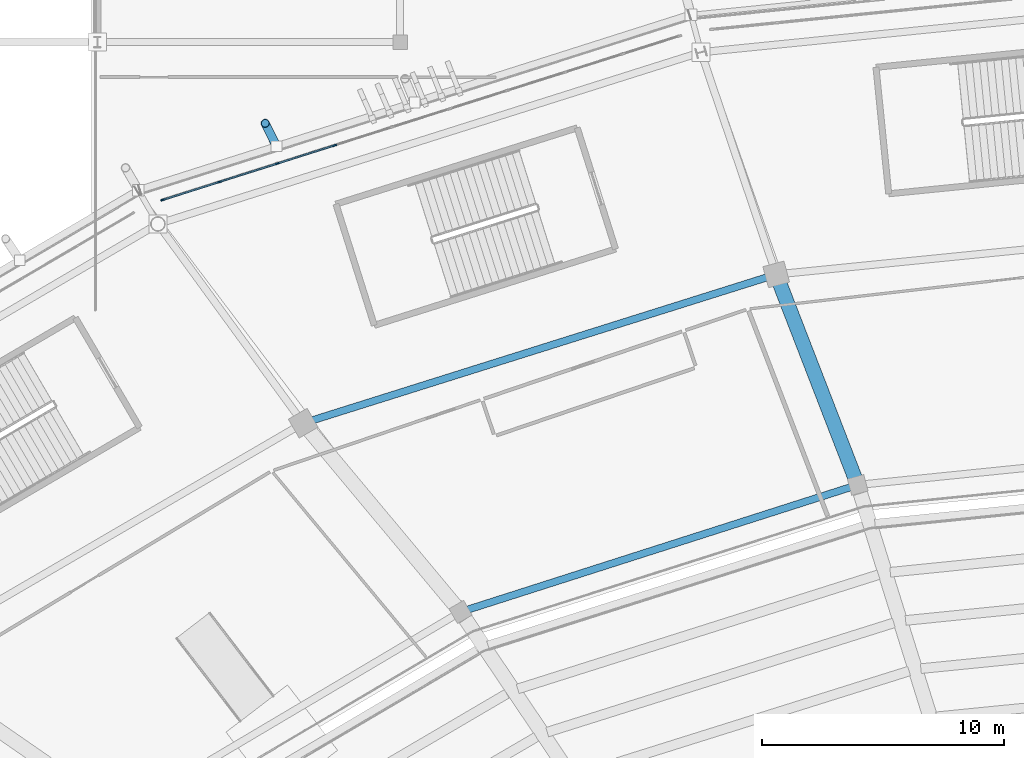
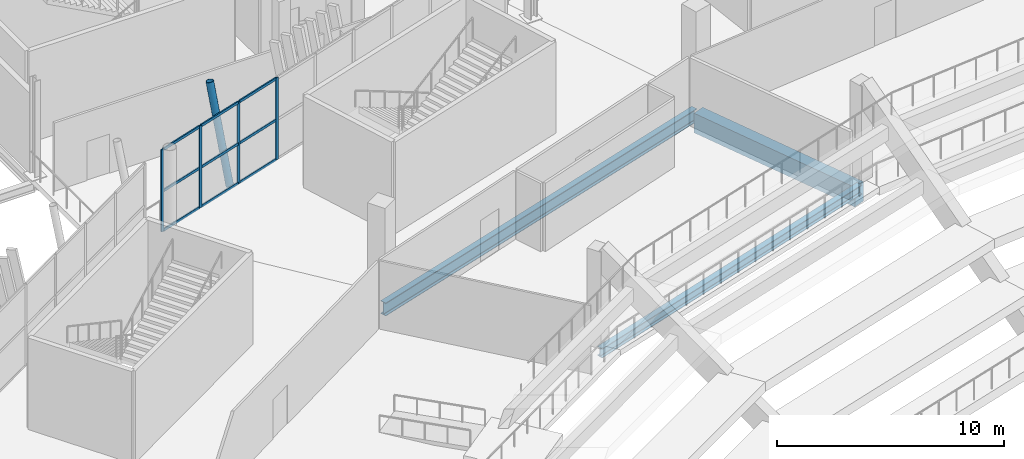
# One storey, part 72 of 178: 14 members, 3 beams, 1 element without a shape of its own.
"""IFC4 building model written with IfcOpenShell, lengths in metres."""

import ifcopenshell
import ifcopenshell.guid

model = None  # the IFC model being written
_history = None  # IfcOwnerHistory: only IFC2X3 demands one
_inside = {}  # id of a spatial element -> (the spatial element, [elements in it])
_under = {}  # id of a project, library or spatial element -> (it, [spatial elements below it])
_declared = {}  # id of a project -> (the project, [libraries it declares])
_typed = {}  # id of a type object -> (the type object, [elements of that type])
_made_of = {}  # id of a material, layer set ... -> (it, [elements and type objects made of it])


def new_model(schema):
    """Start an empty IFC model of exactly this schema.

    Asked for "IFC4X3", IfcOpenShell would pick the latest addendum, in which some entities
    have other attributes; the version numbers below select the first issue.
    IFC2X3 requires an IfcOwnerHistory on every rooted entity: one is made here for all.
    """
    global model, _history
    if schema == "IFC4X3":
        model = ifcopenshell.file(schema_version=(4, 3, 0, 0))
    else:
        model = ifcopenshell.file(schema=schema)
    _inside.clear()
    _under.clear()
    _declared.clear()
    _typed.clear()
    _made_of.clear()
    _history = None
    if model.schema == "IFC2X3":
        org = make("IfcOrganization", Name="unknown")
        user = make(
            "IfcPersonAndOrganization",
            ThePerson=make("IfcPerson", FamilyName="unknown"),
            TheOrganization=org,
        )
        app = make(
            "IfcApplication",
            ApplicationDeveloper=org,
            Version="unknown",
            ApplicationFullName="unknown",
            ApplicationIdentifier="unknown",
        )
        _history = make(
            "IfcOwnerHistory",
            OwningUser=user,
            OwningApplication=app,
            ChangeAction="ADDED",
            CreationDate=0,
        )
    return model


def make(cls, **values):
    """One entity of the class cls with the attributes given. An attribute that is None is left unset."""
    return model.create_entity(
        cls, **{name: value for name, value in values.items() if value is not None}
    )


def rooted(cls, **values):
    """An entity with a GlobalId (a new one), such as an element, a storey or a relation."""
    return make(cls, GlobalId=ifcopenshell.guid.new(), OwnerHistory=_history, **values)


def si_unit(unit_type, name, prefix=None):
    """IfcSIUnit, for example si_unit("LENGTHUNIT", "METRE", prefix="MILLI")."""
    return make("IfcSIUnit", UnitType=unit_type, Prefix=prefix, Name=name)


def assignment(units):
    """IfcUnitAssignment: the units of a project."""
    return None if units is None else make("IfcUnitAssignment", Units=units)


def point(xyz):
    """IfcCartesianPoint."""
    return None if xyz is None else make("IfcCartesianPoint", Coordinates=xyz)


def direction(xyz):
    """IfcDirection."""
    return None if xyz is None else make("IfcDirection", DirectionRatios=xyz)


def frame(location, z_axis=None, x_axis=None):
    """IfcAxis2Placement3D, a coordinate frame: its origin and axes. An axis left out is left unset."""
    return make(
        "IfcAxis2Placement3D",
        Location=point(location),
        Axis=direction(z_axis),
        RefDirection=direction(x_axis),
    )


def frame_2d(location, x_axis=None):
    """IfcAxis2Placement2D, a coordinate frame in the plane: its origin and x axis."""
    return make(
        "IfcAxis2Placement2D", Location=point(location), RefDirection=direction(x_axis)
    )


def origin():
    """The frame at (0, 0, 0) with its axes left unset."""
    return frame((0.0, 0.0, 0.0))


def origin_2d():
    """The frame at (0, 0) in the plane with its x axis left unset."""
    return frame_2d((0.0, 0.0))


def place(relative_to, where):
    """IfcLocalPlacement: puts the frame where relative to a parent placement (None: the world)."""
    return make(
        "IfcLocalPlacement", PlacementRelTo=relative_to, RelativePlacement=where
    )


def context(
    kind, dimensions, precision=None, world=None, true_north=None, identifier=None
):
    """IfcGeometricRepresentationContext, for example the 3D "Model" context."""
    return make(
        "IfcGeometricRepresentationContext",
        ContextIdentifier=identifier,
        ContextType=kind,
        CoordinateSpaceDimension=dimensions,
        Precision=precision,
        WorldCoordinateSystem=world,
        TrueNorth=true_north,
    )


def subcontext(parent, identifier, kind, view, scale=None):
    """IfcGeometricRepresentationSubContext, for example "Body" below "Model"."""
    return make(
        "IfcGeometricRepresentationSubContext",
        ContextIdentifier=identifier,
        ContextType=kind,
        ParentContext=parent,
        TargetScale=scale,
        TargetView=view,
    )


def project(units=None, contexts=None):
    """IfcProject with its units and contexts."""
    return rooted(
        "IfcProject",
        Name="project",
        RepresentationContexts=contexts,
        UnitsInContext=assignment(units),
    )


def spatial(cls, under=None, at=None, **own):
    """A site, building, storey or space (cls), placed at a placement, below another one or the project."""
    s = rooted(cls, ObjectPlacement=at, **own)
    if under is not None:
        _under.setdefault(under.id(), (under, []))[1].append(s)
    return s


def profile(cls, at=None, kind="AREA", **sizes):
    """A parametric profile (cls). Its sizes go by their IFC names, for example OverallWidth=200.0."""
    return make(cls, ProfileType=kind, Position=at, **sizes)


def rectangle(**sizes):
    """IfcRectangleProfileDef."""
    return profile("IfcRectangleProfileDef", **sizes)


def hollow_circle(**sizes):
    """IfcCircleHollowProfileDef."""
    return profile("IfcCircleHollowProfileDef", **sizes)


def i_section(**sizes):
    """IfcIShapeProfileDef."""
    return profile("IfcIShapeProfileDef", **sizes)


def extrude(swept, where, along, depth):
    """IfcExtrudedAreaSolid: the profile swept, set in the frame where, extruded along a direction by depth."""
    return make(
        "IfcExtrudedAreaSolid",
        SweptArea=swept,
        Position=where,
        ExtrudedDirection=direction(along),
        Depth=depth,
    )


def shape(context_of_items, identifier, shape_type, items):
    """IfcShapeRepresentation: the items that make up one representation, for example the "Body"."""
    return make(
        "IfcShapeRepresentation",
        ContextOfItems=context_of_items,
        RepresentationIdentifier=identifier,
        RepresentationType=shape_type,
        Items=items,
    )


def material(Name=None, Category=None):
    """IfcMaterial."""
    return make("IfcMaterial", Name=Name, Category=Category)


def material_profile(
    of_material, cross_section, Name=None, Category=None, Priority=None
):
    """IfcMaterialProfile: a cross section and its material."""
    return make(
        "IfcMaterialProfile",
        Name=Name,
        Material=of_material,
        Profile=cross_section,
        Priority=Priority,
        Category=Category,
    )


def profile_set(profiles, Name=None, composite=None):
    """IfcMaterialProfileSet."""
    return make(
        "IfcMaterialProfileSet",
        Name=Name,
        MaterialProfiles=profiles,
        CompositeProfile=composite,
    )


def made_of(thing, what):
    """Note that an element or type object is made of a material, layer set ...; save() writes the relation."""
    if what is not None:
        _made_of.setdefault(what.id(), (what, []))[1].append(thing)
    return thing


def type_object(cls, material=None, **own):
    """A type object (cls), such as IfcWallType, which elements share."""
    return made_of(rooted(cls, **own), material)


def element(
    cls,
    number,
    at=None,
    inside=None,
    cuts=None,
    type_object=None,
    material=None,
    context=None,
    identifier="Body",
    shape_type=None,
    held_by="IfcProductDefinitionShape",
    body=None,
    shapes=None,
    **own,
):
    """One element of the class cls, such as IfcWall. Its Tag is "e" and its number.

    at: its placement. inside: the storey or other place that contains it. cuts: it is an
    opening in that element (IfcRelVoidsElement). A single representation is given by context,
    identifier, shape_type and body (its items); several are given by shapes. held_by: the class
    of the entity that holds the representations. save() writes the other relations.
    """
    e = rooted(cls, Tag="e%d" % number, ObjectPlacement=at, **own)
    if body is not None:
        shapes = [shape(context, identifier, shape_type, body)]
    if shapes is not None:
        e.Representation = make(held_by, Representations=shapes)
    if inside is not None:
        _inside.setdefault(inside.id(), (inside, []))[1].append(e)
    if cuts is not None:
        rooted(
            "IfcRelVoidsElement", RelatingBuildingElement=cuts, RelatedOpeningElement=e
        )
    if type_object is not None:
        _typed.setdefault(type_object.id(), (type_object, []))[1].append(e)
    return made_of(e, material)


def aggregate(whole, parts):
    """IfcRelAggregates: a whole, such as a stair, and the parts it consists of."""
    return rooted("IfcRelAggregates", RelatingObject=whole, RelatedObjects=parts)


def save(model, path):
    """Write the relations noted so far, then the file.

    IfcRelAggregates (storeys below a building ...), IfcRelContainedInSpatialStructure (elements
    in a storey), IfcRelDefinesByType, IfcRelAssociatesMaterial and IfcRelDeclares: one each for
    every whole, place, type object, material and project.
    """
    for whole, parts in _under.values():
        aggregate(whole, parts)
    for where, things in _inside.values():
        rooted(
            "IfcRelContainedInSpatialStructure",
            RelatedElements=things,
            RelatingStructure=where,
        )
    for kind, things in _typed.values():
        rooted("IfcRelDefinesByType", RelatedObjects=things, RelatingType=kind)
    for what, things in _made_of.values():
        rooted("IfcRelAssociatesMaterial", RelatedObjects=things, RelatingMaterial=what)
    for by, libraries in _declared.values():
        rooted("IfcRelDeclares", RelatingContext=by, RelatedDefinitions=libraries)
    model.write(path)


model = new_model("IFC4")

# Units and contexts
model_context = context("Model", 3, precision=1e-05, world=origin(), true_north=direction((0.0, 1.0)))
body_context = subcontext(model_context, "Body", "Model", "MODEL_VIEW")
ifc_project = project(units=[si_unit("LENGTHUNIT", "METRE"), si_unit("AREAUNIT", "SQUARE_METRE"), si_unit("VOLUMEUNIT", "CUBIC_METRE"), si_unit("PLANEANGLEUNIT", "RADIAN"), si_unit("MASSUNIT", "GRAM", prefix="KILO")], contexts=[model_context])

# Site, building, storey
site_placement = place(None, origin())
site = spatial("IfcSite", under=ifc_project, at=site_placement, CompositionType="ELEMENT")
building_placement = place(site_placement, origin())
building = spatial("IfcBuilding", under=site, at=building_placement, Name="Zlatoyarsky Gate Stadium", CompositionType="ELEMENT")
storey_placement = place(building_placement, frame((0.0, 0.0, 5.39990234375)))
storey = spatial("IfcBuildingStorey", under=building, at=storey_placement, Name="L01", CompositionType="ELEMENT", Elevation=5.39990234375)

# Curtain wall, members
ifc_material_1 = material(Name="Thermally broken anodised aluminium curtain wall", Category="aluminium")
curtain_wall_type = type_object("IfcCurtainWallType", Name="UNITISED HOSPITALITY GLAZING L01", PredefinedType="USERDEFINED", material=ifc_material_1)
curtain_wall_placement = place(storey_placement, origin())
curtain_wall = element("IfcCurtainWall", 1, at=curtain_wall_placement, inside=storey, type_object=curtain_wall_type, Name="Curtain wall CW-L01-07", ObjectType="UNITISED GLAZING", PredefinedType="USERDEFINED")
ifc_material_2 = material(Name="Anodised aluminium 6063-T6", Category="aluminium")
ifc_material_profile_1 = material_profile(ifc_material_2, rectangle(XDim=0.06494140625, YDim=0.159912109375, at=origin_2d()), Name="ALU 65X160")
ifc_profile_set_1 = profile_set([ifc_material_profile_1], Name="Anodised aluminium 6063-T6")
member_type_1 = type_object("IfcMemberType", Name="ALUMINIUM MULLION 65X160", PredefinedType="MULLION", material=ifc_profile_set_1)
member_1_placement = place(storey_placement, frame((71.802001953125, 144.734619140625, 0.0), z_axis=(0.0, 0.0, 1.0), x_axis=(0.302335228022, -0.953201662764, 0.0)))
member_1 = element("IfcMember", 2, at=member_1_placement, type_object=member_type_1, Name="CW-UG1 mullion 7", PredefinedType="MULLION", context=body_context, shape_type="SweptSolid", body=[
    extrude(rectangle(XDim=0.06494140625, YDim=0.159912109375, at=origin_2d()), origin(), (0.0, 0.0, 1.0), 4.400146484375),
])
member_2_placement = place(storey_placement, frame((69.423095703125, 143.980224609375, 0.0), z_axis=(0.0, 0.0, 1.0), x_axis=(0.302335228022, -0.953201662764, 0.0)))
member_2 = element("IfcMember", 3, at=member_2_placement, type_object=member_type_1, Name="CW-UG1 mullion 8", PredefinedType="MULLION", context=body_context, shape_type="SweptSolid", body=[
    extrude(rectangle(XDim=0.06494140625, YDim=0.159912109375, at=origin_2d()), origin(), (0.0, 0.0, 1.0), 4.400146484375),
])
member_3_placement = place(storey_placement, frame((67.044189453125, 143.2255859375, 0.0), z_axis=(0.0, 0.0, 1.0), x_axis=(0.302335228022, -0.953201662764, 0.0)))
member_3 = element("IfcMember", 4, at=member_3_placement, type_object=member_type_1, Name="CW-UG1 mullion 9", PredefinedType="MULLION", context=body_context, shape_type="SweptSolid", body=[
    extrude(rectangle(XDim=0.06494140625, YDim=0.159912109375, at=origin_2d()), origin(), (0.0, 0.0, 1.0), 4.400146484375),
])
member_4_placement = place(storey_placement, frame((64.6962890625, 142.48095703125, 0.0), z_axis=(0.0, 0.0, 1.0), x_axis=(0.302335228022, -0.953201662764, 0.0)))
member_4 = element("IfcMember", 5, at=member_4_placement, type_object=member_type_1, Name="CW-UG1 mullion 10", PredefinedType="MULLION", context=body_context, shape_type="SweptSolid", body=[
    extrude(rectangle(XDim=0.06494140625, YDim=0.159912109375, at=origin_2d()), origin(), (0.0, 0.0, 1.0), 4.400146484375),
])
ifc_material_profile_2 = material_profile(ifc_material_2, rectangle(XDim=0.06494140625, YDim=0.139892578125, at=origin_2d()), Name="ALU 65X140")
ifc_profile_set_2 = profile_set([ifc_material_profile_2], Name="Anodised aluminium 6063-T6")
member_type_2 = type_object("IfcMemberType", Name="ALUMINIUM TRANSOM 65X140", PredefinedType="USERDEFINED", material=ifc_profile_set_2)
member_5_placement = place(storey_placement, frame((71.77099609375, 144.724853515625, 0.03271484375), z_axis=(-0.953202400963, -0.302332900622, 0.0), x_axis=(0.302332900622, -0.953202400963, 0.0)))
member_5 = element("IfcMember", 6, at=member_5_placement, type_object=member_type_2, Name="CW-UG1 transom 7.1", ObjectType="TRANSOM", PredefinedType="USERDEFINED", context=body_context, shape_type="SweptSolid", body=[
    extrude(rectangle(XDim=0.06494140625, YDim=0.139892578125, at=origin_2d()), origin(), (0.0, 0.0, 1.0), 2.4306640625),
])
member_6_placement = place(storey_placement, frame((71.77099609375, 144.724853515625, 2.150146484375), z_axis=(-0.953202400963, -0.302332900622, 0.0), x_axis=(0.302332900622, -0.953202400963, 0.0)))
member_6 = element("IfcMember", 7, at=member_6_placement, type_object=member_type_2, Name="CW-UG1 transom 7.2", ObjectType="TRANSOM", PredefinedType="USERDEFINED", context=body_context, shape_type="SweptSolid", body=[
    extrude(rectangle(XDim=0.06494140625, YDim=0.139892578125, at=origin_2d()), origin(), (0.0, 0.0, 1.0), 2.4306640625),
])
member_7_placement = place(storey_placement, frame((71.77099609375, 144.724853515625, 4.36767578125), z_axis=(-0.953202400963, -0.302332900622, 0.0), x_axis=(0.302332900622, -0.953202400963, 0.0)))
member_7 = element("IfcMember", 8, at=member_7_placement, type_object=member_type_2, Name="CW-UG1 transom 7.3", ObjectType="TRANSOM", PredefinedType="USERDEFINED", context=body_context, shape_type="SweptSolid", body=[
    extrude(rectangle(XDim=0.06494140625, YDim=0.139892578125, at=origin_2d()), origin(), (0.0, 0.0, 1.0), 2.4306640625),
])
member_8_placement = place(storey_placement, frame((69.39208984375, 143.97021484375, 0.03271484375), z_axis=(-0.953202400963, -0.302332900622, 0.0), x_axis=(0.302332900622, -0.953202400963, 0.0)))
member_8 = element("IfcMember", 9, at=member_8_placement, type_object=member_type_2, Name="CW-UG1 transom 8.1", ObjectType="TRANSOM", PredefinedType="USERDEFINED", context=body_context, shape_type="SweptSolid", body=[
    extrude(rectangle(XDim=0.06494140625, YDim=0.139892578125, at=origin_2d()), origin(), (0.0, 0.0, 1.0), 2.4306640625),
])
member_9_placement = place(storey_placement, frame((69.39208984375, 143.97021484375, 2.150146484375), z_axis=(-0.953202400963, -0.302332900622, 0.0), x_axis=(0.302332900622, -0.953202400963, 0.0)))
member_9 = element("IfcMember", 10, at=member_9_placement, type_object=member_type_2, Name="CW-UG1 transom 8.2", ObjectType="TRANSOM", PredefinedType="USERDEFINED", context=body_context, shape_type="SweptSolid", body=[
    extrude(rectangle(XDim=0.06494140625, YDim=0.139892578125, at=origin_2d()), origin(), (0.0, 0.0, 1.0), 2.4306640625),
])
member_10_placement = place(storey_placement, frame((69.39208984375, 143.97021484375, 4.36767578125), z_axis=(-0.953202400963, -0.302332900622, 0.0), x_axis=(0.302332900622, -0.953202400963, 0.0)))
member_10 = element("IfcMember", 11, at=member_10_placement, type_object=member_type_2, Name="CW-UG1 transom 8.3", ObjectType="TRANSOM", PredefinedType="USERDEFINED", context=body_context, shape_type="SweptSolid", body=[
    extrude(rectangle(XDim=0.06494140625, YDim=0.139892578125, at=origin_2d()), origin(), (0.0, 0.0, 1.0), 2.4306640625),
])
member_11_placement = place(storey_placement, frame((67.01318359375, 143.2158203125, 0.03271484375), z_axis=(-0.953194146276, -0.302358924964, 0.0), x_axis=(0.302358924964, -0.953194146276, 0.0)))
member_11 = element("IfcMember", 12, at=member_11_placement, type_object=member_type_2, Name="CW-UG1 transom 9.1", ObjectType="TRANSOM", PredefinedType="USERDEFINED", context=body_context, shape_type="SweptSolid", body=[
    extrude(rectangle(XDim=0.06494140625, YDim=0.139892578125, at=origin_2d()), origin(), (0.0, 0.0, 1.0), 2.398193359375),
])
member_12_placement = place(storey_placement, frame((67.01318359375, 143.2158203125, 2.150146484375), z_axis=(-0.953194146276, -0.302358924964, 0.0), x_axis=(0.302358924964, -0.953194146276, 0.0)))
member_12 = element("IfcMember", 13, at=member_12_placement, type_object=member_type_2, Name="CW-UG1 transom 9.2", ObjectType="TRANSOM", PredefinedType="USERDEFINED", context=body_context, shape_type="SweptSolid", body=[
    extrude(rectangle(XDim=0.06494140625, YDim=0.139892578125, at=origin_2d()), origin(), (0.0, 0.0, 1.0), 2.398193359375),
])
member_13_placement = place(storey_placement, frame((67.01318359375, 143.2158203125, 4.36767578125), z_axis=(-0.953194146276, -0.302358924964, 0.0), x_axis=(0.302358924964, -0.953194146276, 0.0)))
member_13 = element("IfcMember", 14, at=member_13_placement, type_object=member_type_2, Name="CW-UG1 transom 9.3", ObjectType="TRANSOM", PredefinedType="USERDEFINED", context=body_context, shape_type="SweptSolid", body=[
    extrude(rectangle(XDim=0.06494140625, YDim=0.139892578125, at=origin_2d()), origin(), (0.0, 0.0, 1.0), 2.398193359375),
])
aggregate(curtain_wall, [member_1, member_2, member_3, member_4, member_5, member_6, member_7, member_8, member_9, member_10, member_11, member_12, member_13])

# Beam
ifc_material_3 = material(Name="Concrete C40/50", Category="concrete")
ifc_material_profile_3 = material_profile(ifc_material_3, rectangle(XDim=0.60009765625, YDim=1.050048828125, at=origin_2d()), Name="RC GIRDER 600X1050")
ifc_profile_set_3 = profile_set([ifc_material_profile_3], Name="Concrete C40/50")
beam_type_1 = type_object("IfcBeamType", Name="CONCRETE PRIMARY GIRDER 600X1050", PredefinedType="T_BEAM", material=ifc_profile_set_3)
beam_1_placement = place(storey_placement, frame((93.35693359375, 130.822998046875, -0.98486328125), z_axis=(-0.36092924223, 0.932593202904, 0.0), x_axis=(-0.932593202904, -0.36092924223, 0.0)))
element("IfcBeam", 15, at=beam_1_placement, inside=storey, type_object=beam_type_1, Name="Beam G-RC105 BM-L01-RAB-07", PredefinedType="T_BEAM", context=body_context, shape_type="SweptSolid", body=[
    extrude(rectangle(XDim=0.60009765625, YDim=1.050048828125, at=origin_2d()), origin(), (0.0, 0.0, 1.0), 9.08154296875),
])

# Member
ifc_material_4 = material(Name="Steel S355", Category="steel")
ifc_material_profile_4 = material_profile(ifc_material_4, hollow_circle(Radius=0.177734375, WallThickness=0.02001953125, at=origin_2d()), Name="CHS 355.6X20")
ifc_profile_set_4 = profile_set([ifc_material_profile_4], Name="Steel S355")
member_type_3 = type_object("IfcMemberType", Name="STEEL LEANING RIB RING STRUT CHS 355.6X20", PredefinedType="STRUT", material=ifc_profile_set_4)
member_14_placement = place(storey_placement, frame((69.400146484375, 144.694091796875, -0.5498046875), z_axis=(-0.088092869249, 0.178569104367, 0.979975877944), x_axis=(-0.896808320254, -0.442419299673, 0.0)))
element("IfcMember", 16, at=member_14_placement, inside=storey, type_object=member_type_3, Name="Outward-leaning bowl louvre fin rib L01 07-3", PredefinedType="STRUT", context=body_context, shape_type="SweptSolid", body=[
    extrude(hollow_circle(Radius=0.177734375, WallThickness=0.02001953125, at=origin_2d()), origin(), (0.0, 0.0, 1.0), 5.32666015625),
])

# Beams
ifc_material_profile_5 = material_profile(ifc_material_4, i_section(OverallWidth=0.300048828125, OverallDepth=0.5, WebThickness=0.014404296875, FlangeThickness=0.028076171875, FilletRadius=0.027099609375, at=origin_2d()), Name="HEB 500")
ifc_profile_set_5 = profile_set([ifc_material_profile_5], Name="Steel S355")
beam_type_2 = type_object("IfcBeamType", Name="STEEL PRIMARY GIRDER HEB 500", PredefinedType="BEAM", material=ifc_profile_set_5)
beam_2_placement = place(storey_placement, frame((93.285888671875, 130.674560546875, -0.5498046875), z_axis=(-0.952480396568, -0.304599891914, 0.0), x_axis=(0.304599891914, -0.952480396568, 0.0)))
element("IfcBeam", 17, at=beam_2_placement, inside=storey, type_object=beam_type_2, Name="Beam G-HEB500 BM-L01-CRA-07", PredefinedType="BEAM", context=body_context, shape_type="SweptSolid", body=[
    extrude(i_section(OverallWidth=0.300048828125, OverallDepth=0.5, WebThickness=0.014404296875, FlangeThickness=0.028076171875, FilletRadius=0.027099609375, at=origin_2d()), origin(), (0.0, 0.0, 1.0), 16.978515625),
])
ifc_material_profile_6 = material_profile(ifc_material_4, i_section(OverallWidth=0.300048828125, OverallDepth=0.699951171875, WebThickness=0.01708984375, FlangeThickness=0.031982421875, FilletRadius=0.027099609375, at=origin_2d()), Name="HEB 700")
ifc_profile_set_6 = profile_set([ifc_material_profile_6], Name="Steel S355")
beam_type_3 = type_object("IfcBeamType", Name="STEEL PRIMARY GIRDER HEB 700", PredefinedType="BEAM", material=ifc_profile_set_6)
beam_3_placement = place(storey_placement, frame((89.921142578125, 139.368408203125, -0.64990234375), z_axis=(-0.953937507984, -0.300005384719, 0.0), x_axis=(0.300005384719, -0.953937507984, 0.0)))
element("IfcBeam", 18, at=beam_3_placement, inside=storey, type_object=beam_type_3, Name="Beam G-HEB700 BM-L01-CRB-07", PredefinedType="BEAM", context=body_context, shape_type="SweptSolid", body=[
    extrude(i_section(OverallWidth=0.300048828125, OverallDepth=0.699951171875, WebThickness=0.01708984375, FlangeThickness=0.031982421875, FilletRadius=0.027099609375, at=origin_2d()), origin(), (0.0, 0.0, 1.0), 20.239013671875),
])

save(model, "model.ifc")
